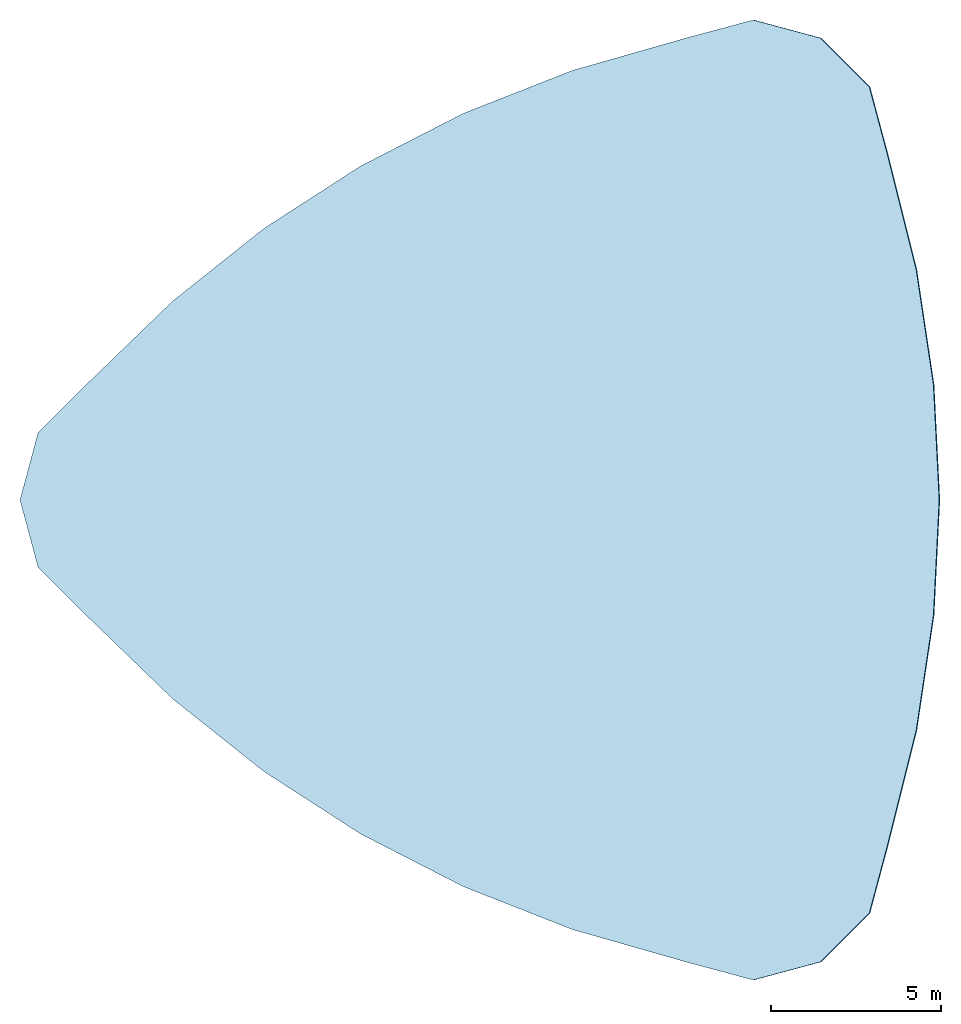
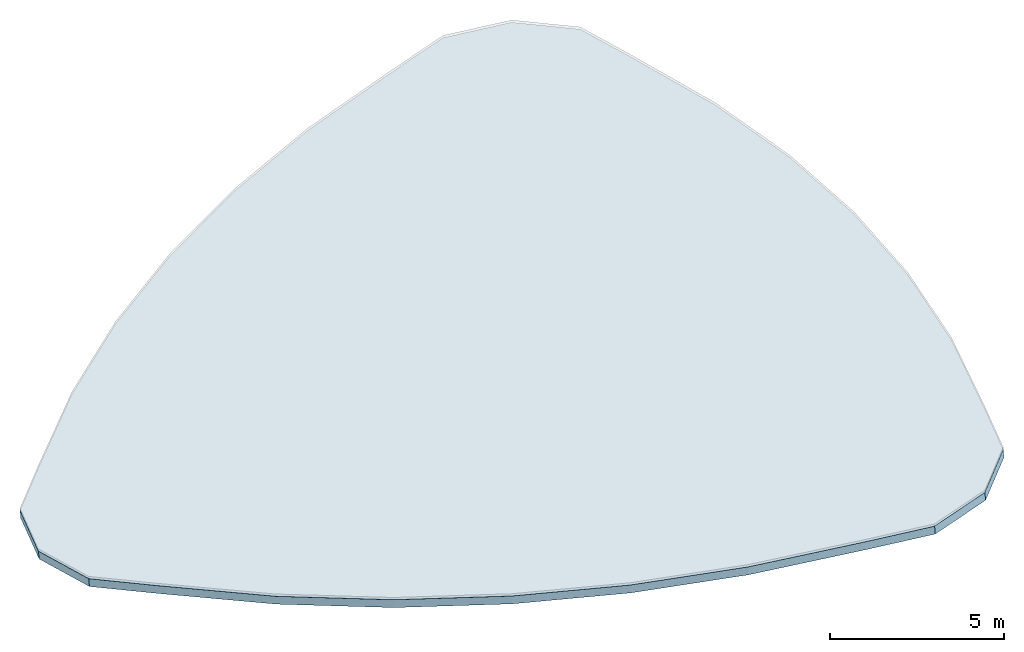
# One storey, part 1 of 2: 1 slab.
"""IFC4 building model written with IfcOpenShell, lengths in metres."""

from ifc_helpers import new_model, si_unit, direction, frame, origin, place, context, subcontext, project, spatial, polyline, outline, extrude, material, layer, layer_set, type_object, element, save


model = new_model("IFC4")

# Units and contexts
model_context = context("Model", 3, precision=1e-05, world=origin(), true_north=direction((0.0, 1.0)))
body_context = subcontext(model_context, "Body", "Model", "MODEL_VIEW")
ifc_project = project(units=[si_unit("LENGTHUNIT", "METRE"), si_unit("AREAUNIT", "SQUARE_METRE"), si_unit("VOLUMEUNIT", "CUBIC_METRE"), si_unit("PLANEANGLEUNIT", "RADIAN"), si_unit("MASSUNIT", "GRAM", prefix="KILO")], contexts=[model_context])

# Site, building, storey
site_placement = place(None, origin())
site = spatial("IfcSite", under=ifc_project, at=site_placement, CompositionType="ELEMENT")
building_placement = place(site_placement, origin())
building = spatial("IfcBuilding", under=site, at=building_placement, Name="Qafzar Sky-Pleat Residences", CompositionType="ELEMENT")
storey_placement = place(building_placement, frame((0.0, 0.0, 279.0)))
storey = spatial("IfcBuildingStorey", under=building, at=storey_placement, Name="Roof Apex", CompositionType="ELEMENT", Elevation=279.0)

# Slab
ifc_material = material(Name="Concrete C40/50", Category="concrete")
ifc_layer = layer(ifc_material, 0.284912109375)
ifc_layer_set = layer_set([ifc_layer], Name="Concrete C40/50")
slab_type = type_object("IfcSlabType", Name="SLAB-ROOF-285", PredefinedType="ROOF", material=ifc_layer_set)
slab_placement = place(storey_placement, frame((16.885498046875, 29.41552734375, -1.592041015625), z_axis=(-0.087158336626, 0.0, 0.996194471153), x_axis=(-0.705755741796, -0.705759223703, -0.061747478329)))
element("IfcSlab", 1, at=slab_placement, inside=storey, type_object=slab_type, Name="Crown Glass-Point Apex Roof Slab", PredefinedType="ROOF", context=body_context, shape_type="SweptSolid", body=[
    extrude(outline(polyline([(0.0, 0.0), (2.045461776682668, 1.240327285323417e-16), (3.8128945637862572, 1.022711582418202), (4.828868636959177, 2.7940258742313535), (4.821079853320338, 4.839472821653663), (4.7489375092719905, 8.339880737536328), (4.348842238875306, 11.752082918104936), (3.6213109556242062, 15.076598248937216), (2.566014125590697, 18.31306578854125), (1.182764370058924, 21.461672203478702), (-0.5279213983272606, 24.522591768679828), (-1.557409101837008, 26.29390606049298), (-3.3326155975114857, 27.31662640772365), (-5.378092449262104, 27.316641425497085), (-7.145854769443615, 26.293913512234443), (-10.140779201834983, 24.492869405582294), (-12.89453470900384, 22.451572963709914), (-15.407653277811912, 20.17020954010796), (-17.67943061774958, 17.64842213249754), (-19.71022641033051, 14.886913666876033), (-21.499853277688935, 11.885152866034296), (-22.51584242677988, 10.113508981347099), (-22.508038568073093, 8.068047016151352), (-21.478565939631295, 6.296747742111638), (-19.703344368888867, 5.27401237710753), (-16.635932983453205, 3.5749944915955005), (-13.482082206737738, 2.203744142251794), (-10.241619733394417, 1.1607789015831376), (-6.914358184707391, 0.44591210302785655), (-3.5006572447405593, 0.05881284064089981), (0.0, 0.0)])), origin(), (0.0, 0.0, -1.0), 0.284912109375),
])

save(model, "model.ifc")
